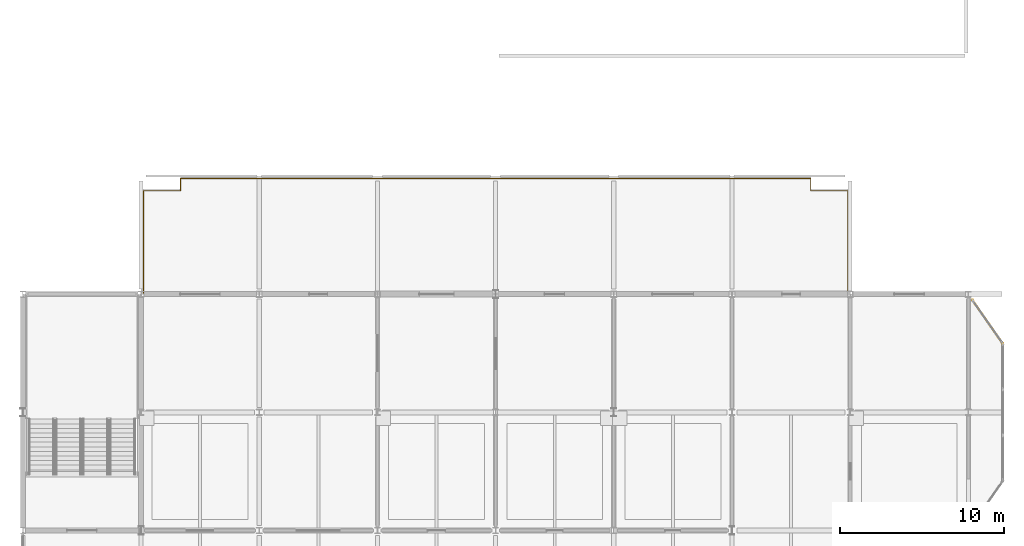
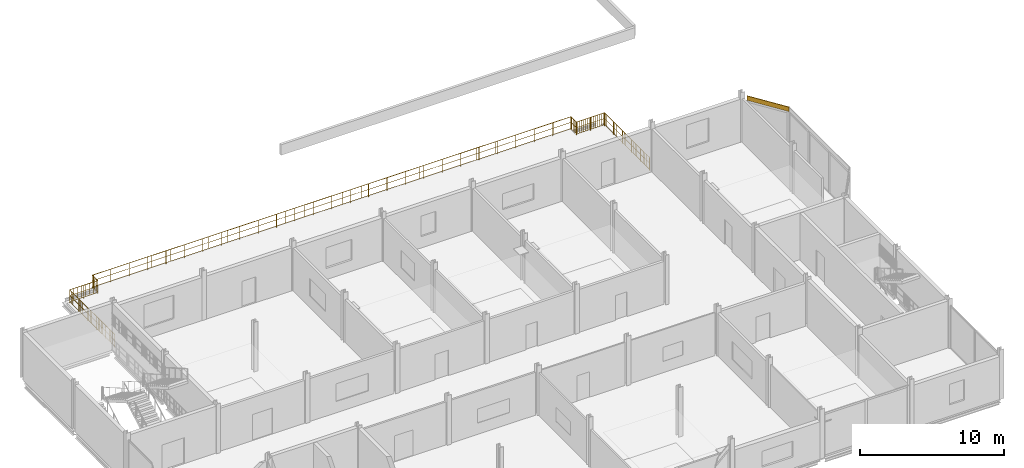
# One storey, part 26 of 26: 1 covering, 1 railing.
"""IFC4 building model written with IfcOpenShell, lengths in metres."""

from ifc_helpers import new_model, si_unit, direction, frame, frame_2d, origin, origin_2d, place, context, subcontext, project, spatial, rectangle, circle, extrude, material, layer, layer_set, type_object, element, save


model = new_model("IFC4")

# Units and contexts
model_context = context("Model", 3, precision=1e-05, world=origin(), true_north=direction((0.0, 1.0)))
body_context = subcontext(model_context, "Body", "Model", "MODEL_VIEW")
ifc_project = project(units=[si_unit("LENGTHUNIT", "METRE"), si_unit("AREAUNIT", "SQUARE_METRE"), si_unit("VOLUMEUNIT", "CUBIC_METRE"), si_unit("PLANEANGLEUNIT", "RADIAN"), si_unit("MASSUNIT", "GRAM", prefix="KILO")], contexts=[model_context])

# Site, building, storey
site_placement = place(None, origin())
site = spatial("IfcSite", under=ifc_project, at=site_placement, CompositionType="ELEMENT")
building_placement = place(site_placement, origin())
building = spatial("IfcBuilding", under=site, at=building_placement, Name="Vesperath Aquatics Centre", CompositionType="ELEMENT")
storey_placement = place(building_placement, frame((0.0, 0.0, 19.199951171875)))
storey = spatial("IfcBuildingStorey", under=building, at=storey_placement, Name="L04", CompositionType="ELEMENT", Elevation=19.199951171875)

# Covering
ifc_material_1 = material(Name="Teal and ochre glazed ceramic majolica frieze", Category="ceramic")
ifc_layer = layer(ifc_material_1, 0.0400390625)
ifc_layer_set = layer_set([ifc_layer], Name="Teal and ochre glazed ceramic majolica frieze")
covering_type = type_object("IfcCoveringType", Name="CV-CLD01", PredefinedType="CLADDING", material=ifc_layer_set)
covering_placement = place(storey_placement, frame((174.89990234375, 33.0, 3.5400390625), z_axis=(0.0, 0.0, 1.0), x_axis=(-0.573457259524, 0.819235479883, 0.0)))
element("IfcCovering", 1, at=covering_placement, inside=storey, type_object=covering_type, Name="East Bow Oriel Majolica Frieze CLD1 L04-N", PredefinedType="CLADDING", context=body_context, shape_type="SweptSolid", body=[
    extrude(rectangle(XDim=3.222412109375, YDim=0.050048828125, at=frame_2d((1.611328125, 0.0))), origin(), (0.0, 0.0, 1.0), 0.380126953125),
])

# Railing
ifc_material_2 = material(Name="Patinated bronze Art Nouveau balustrade", Category="aluminium")
railing_type = type_object("IfcRailingType", Name="RL-BAL01", PredefinedType="BALUSTRADE", material=ifc_material_2)
railing_placement = place(storey_placement, frame((122.550048828125, 36.050048828125, 0.0)))
element("IfcRailing", 2, at=railing_placement, inside=storey, type_object=railing_type, Name="Wellness Sun Terrace Balustrade GR01 L04", PredefinedType="BALUSTRADE", context=body_context, shape_type="SweptSolid", body=[
    extrude(circle(Radius=0.02392578125, at=origin_2d()), frame((0.0, 0.0, 1.09619140625), z_axis=(0.0, 1.0, 0.0), x_axis=(-1.0, 0.0, 0.0)), (0.0, 0.0, 1.0), 6.25),
    extrude(circle(Radius=0.01611328125, at=origin_2d()), frame((0.0, 0.0, 0.10009765625), z_axis=(0.0, 1.0, 0.0), x_axis=(-1.0, 0.0, 0.0)), (0.0, 0.0, 1.0), 6.25),
    extrude(circle(Radius=0.01611328125, at=origin_2d()), frame((0.0, 0.0, 0.615966796875), z_axis=(0.0, 1.0, 0.0), x_axis=(-1.0, 0.0, 0.0)), (0.0, 0.0, 1.0), 6.25),
    extrude(circle(Radius=0.009033203125, at=origin_2d()), frame((0.0, 0.109619140625, 0.10009765625)), (0.0, 0.0, 1.0), 0.971923828125),
    extrude(circle(Radius=0.009033203125, at=origin_2d()), frame((0.0, 0.328857421875, 0.10009765625)), (0.0, 0.0, 1.0), 0.971923828125),
    extrude(circle(Radius=0.009033203125, at=origin_2d()), frame((0.0, 0.54833984375, 0.10009765625)), (0.0, 0.0, 1.0), 0.971923828125),
    extrude(circle(Radius=0.009033203125, at=origin_2d()), frame((0.0, 0.767578125, 0.10009765625)), (0.0, 0.0, 1.0), 0.971923828125),
    extrude(circle(Radius=0.009033203125, at=origin_2d()), frame((0.0, 0.98681640625, 0.10009765625)), (0.0, 0.0, 1.0), 0.971923828125),
    extrude(circle(Radius=0.009033203125, at=origin_2d()), frame((0.0, 1.2060546875, 0.10009765625)), (0.0, 0.0, 1.0), 0.971923828125),
    extrude(circle(Radius=0.009033203125, at=origin_2d()), frame((0.0, 1.425537109375, 0.10009765625)), (0.0, 0.0, 1.0), 0.971923828125),
    extrude(circle(Radius=0.009033203125, at=origin_2d()), frame((0.0, 1.644775390625, 0.10009765625)), (0.0, 0.0, 1.0), 0.971923828125),
    extrude(circle(Radius=0.009033203125, at=origin_2d()), frame((0.0, 1.864013671875, 0.10009765625)), (0.0, 0.0, 1.0), 0.971923828125),
    extrude(circle(Radius=0.009033203125, at=origin_2d()), frame((0.0, 2.083251953125, 0.10009765625)), (0.0, 0.0, 1.0), 0.971923828125),
    extrude(circle(Radius=0.009033203125, at=origin_2d()), frame((0.0, 2.302734375, 0.10009765625)), (0.0, 0.0, 1.0), 0.971923828125),
    extrude(circle(Radius=0.009033203125, at=origin_2d()), frame((0.0, 2.52197265625, 0.10009765625)), (0.0, 0.0, 1.0), 0.971923828125),
    extrude(circle(Radius=0.009033203125, at=origin_2d()), frame((0.0, 2.7412109375, 0.10009765625)), (0.0, 0.0, 1.0), 0.971923828125),
    extrude(circle(Radius=0.009033203125, at=origin_2d()), frame((0.0, 2.96044921875, 0.10009765625)), (0.0, 0.0, 1.0), 0.971923828125),
    extrude(circle(Radius=0.009033203125, at=origin_2d()), frame((0.0, 3.179931640625, 0.10009765625)), (0.0, 0.0, 1.0), 0.971923828125),
    extrude(circle(Radius=0.009033203125, at=origin_2d()), frame((0.0, 3.399169921875, 0.10009765625)), (0.0, 0.0, 1.0), 0.971923828125),
    extrude(circle(Radius=0.009033203125, at=origin_2d()), frame((0.0, 3.618408203125, 0.10009765625)), (0.0, 0.0, 1.0), 0.971923828125),
    extrude(circle(Radius=0.009033203125, at=origin_2d()), frame((0.0, 3.837646484375, 0.10009765625)), (0.0, 0.0, 1.0), 0.971923828125),
    extrude(circle(Radius=0.009033203125, at=origin_2d()), frame((0.0, 4.05712890625, 0.10009765625)), (0.0, 0.0, 1.0), 0.971923828125),
    extrude(circle(Radius=0.009033203125, at=origin_2d()), frame((0.0, 4.2763671875, 0.10009765625)), (0.0, 0.0, 1.0), 0.971923828125),
    extrude(circle(Radius=0.009033203125, at=origin_2d()), frame((0.0, 4.49560546875, 0.10009765625)), (0.0, 0.0, 1.0), 0.971923828125),
    extrude(circle(Radius=0.009033203125, at=origin_2d()), frame((0.0, 4.71484375, 0.10009765625)), (0.0, 0.0, 1.0), 0.971923828125),
    extrude(circle(Radius=0.009033203125, at=origin_2d()), frame((0.0, 4.934326171875, 0.10009765625)), (0.0, 0.0, 1.0), 0.971923828125),
    extrude(circle(Radius=0.009033203125, at=origin_2d()), frame((0.0, 5.153564453125, 0.10009765625)), (0.0, 0.0, 1.0), 0.971923828125),
    extrude(circle(Radius=0.009033203125, at=origin_2d()), frame((0.0, 5.372802734375, 0.10009765625)), (0.0, 0.0, 1.0), 0.971923828125),
    extrude(circle(Radius=0.009033203125, at=origin_2d()), frame((0.0, 5.592041015625, 0.10009765625)), (0.0, 0.0, 1.0), 0.971923828125),
    extrude(circle(Radius=0.009033203125, at=origin_2d()), frame((0.0, 5.8115234375, 0.10009765625)), (0.0, 0.0, 1.0), 0.971923828125),
    extrude(circle(Radius=0.009033203125, at=origin_2d()), frame((0.0, 6.03076171875, 0.10009765625)), (0.0, 0.0, 1.0), 0.971923828125),
    extrude(circle(Radius=0.02392578125, at=origin_2d()), frame((0.0, 6.25, 1.09619140625), z_axis=(1.0, 0.0, 0.0), x_axis=(0.0, 1.0, 0.0)), (0.0, 0.0, 1.0), 2.25),
    extrude(circle(Radius=0.01611328125, at=origin_2d()), frame((0.0, 6.25, 0.10009765625), z_axis=(1.0, 0.0, 0.0), x_axis=(0.0, 1.0, 0.0)), (0.0, 0.0, 1.0), 2.25),
    extrude(circle(Radius=0.01611328125, at=origin_2d()), frame((0.0, 6.25, 0.615966796875), z_axis=(1.0, 0.0, 0.0), x_axis=(0.0, 1.0, 0.0)), (0.0, 0.0, 1.0), 2.25),
    extrude(circle(Radius=0.009033203125, at=origin_2d()), frame((0.107177734375, 6.25, 0.10009765625)), (0.0, 0.0, 1.0), 0.971923828125),
    extrude(circle(Radius=0.009033203125, at=origin_2d()), frame((0.21435546875, 6.25, 0.10009765625)), (0.0, 0.0, 1.0), 0.971923828125),
    extrude(circle(Radius=0.009033203125, at=origin_2d()), frame((0.321533203125, 6.25, 0.10009765625)), (0.0, 0.0, 1.0), 0.971923828125),
    extrude(circle(Radius=0.009033203125, at=origin_2d()), frame((0.428466796875, 6.25, 0.10009765625)), (0.0, 0.0, 1.0), 0.971923828125),
    extrude(circle(Radius=0.009033203125, at=origin_2d()), frame((0.53564453125, 6.25, 0.10009765625)), (0.0, 0.0, 1.0), 0.971923828125),
    extrude(circle(Radius=0.009033203125, at=origin_2d()), frame((0.642822265625, 6.25, 0.10009765625)), (0.0, 0.0, 1.0), 0.971923828125),
    extrude(circle(Radius=0.009033203125, at=origin_2d()), frame((0.75, 6.25, 0.10009765625)), (0.0, 0.0, 1.0), 0.971923828125),
    extrude(circle(Radius=0.009033203125, at=origin_2d()), frame((0.857177734375, 6.25, 0.10009765625)), (0.0, 0.0, 1.0), 0.971923828125),
    extrude(circle(Radius=0.009033203125, at=origin_2d()), frame((0.96435546875, 6.25, 0.10009765625)), (0.0, 0.0, 1.0), 0.971923828125),
    extrude(circle(Radius=0.009033203125, at=origin_2d()), frame((1.071533203125, 6.25, 0.10009765625)), (0.0, 0.0, 1.0), 0.971923828125),
    extrude(circle(Radius=0.009033203125, at=origin_2d()), frame((1.178466796875, 6.25, 0.10009765625)), (0.0, 0.0, 1.0), 0.971923828125),
    extrude(circle(Radius=0.009033203125, at=origin_2d()), frame((1.28564453125, 6.25, 0.10009765625)), (0.0, 0.0, 1.0), 0.971923828125),
    extrude(circle(Radius=0.009033203125, at=origin_2d()), frame((1.392822265625, 6.25, 0.10009765625)), (0.0, 0.0, 1.0), 0.971923828125),
    extrude(circle(Radius=0.009033203125, at=origin_2d()), frame((1.5, 6.25, 0.10009765625)), (0.0, 0.0, 1.0), 0.971923828125),
    extrude(circle(Radius=0.009033203125, at=origin_2d()), frame((1.607177734375, 6.25, 0.10009765625)), (0.0, 0.0, 1.0), 0.971923828125),
    extrude(circle(Radius=0.009033203125, at=origin_2d()), frame((1.71435546875, 6.25, 0.10009765625)), (0.0, 0.0, 1.0), 0.971923828125),
    extrude(circle(Radius=0.009033203125, at=origin_2d()), frame((1.821533203125, 6.25, 0.10009765625)), (0.0, 0.0, 1.0), 0.971923828125),
    extrude(circle(Radius=0.009033203125, at=origin_2d()), frame((1.928466796875, 6.25, 0.10009765625)), (0.0, 0.0, 1.0), 0.971923828125),
    extrude(circle(Radius=0.009033203125, at=origin_2d()), frame((2.03564453125, 6.25, 0.10009765625)), (0.0, 0.0, 1.0), 0.971923828125),
    extrude(circle(Radius=0.009033203125, at=origin_2d()), frame((2.142822265625, 6.25, 0.10009765625)), (0.0, 0.0, 1.0), 0.971923828125),
    extrude(circle(Radius=0.02392578125, at=origin_2d()), frame((2.25, 6.25, 1.09619140625), z_axis=(0.0, 1.0, 0.0), x_axis=(-1.0, 0.0, 0.0)), (0.0, 0.0, 1.0), 0.75),
    extrude(circle(Radius=0.01611328125, at=origin_2d()), frame((2.25, 6.25, 0.10009765625), z_axis=(0.0, 1.0, 0.0), x_axis=(-1.0, 0.0, 0.0)), (0.0, 0.0, 1.0), 0.75),
    extrude(circle(Radius=0.01611328125, at=origin_2d()), frame((2.25, 6.25, 0.615966796875), z_axis=(0.0, 1.0, 0.0), x_axis=(-1.0, 0.0, 0.0)), (0.0, 0.0, 1.0), 0.75),
    extrude(circle(Radius=0.009033203125, at=origin_2d()), frame((2.25, 6.357177734375, 0.10009765625)), (0.0, 0.0, 1.0), 0.971923828125),
    extrude(circle(Radius=0.009033203125, at=origin_2d()), frame((2.25, 6.46435546875, 0.10009765625)), (0.0, 0.0, 1.0), 0.971923828125),
    extrude(circle(Radius=0.009033203125, at=origin_2d()), frame((2.25, 6.571533203125, 0.10009765625)), (0.0, 0.0, 1.0), 0.971923828125),
    extrude(circle(Radius=0.009033203125, at=origin_2d()), frame((2.25, 6.678466796875, 0.10009765625)), (0.0, 0.0, 1.0), 0.971923828125),
    extrude(circle(Radius=0.009033203125, at=origin_2d()), frame((2.25, 6.78564453125, 0.10009765625)), (0.0, 0.0, 1.0), 0.971923828125),
    extrude(circle(Radius=0.009033203125, at=origin_2d()), frame((2.25, 6.892822265625, 0.10009765625)), (0.0, 0.0, 1.0), 0.971923828125),
    extrude(circle(Radius=0.02392578125, at=origin_2d()), frame((2.25, 7.0, 1.09619140625), z_axis=(1.0, 0.0, 0.0), x_axis=(0.0, 1.0, 0.0)), (0.0, 0.0, 1.0), 38.39990234375),
    extrude(circle(Radius=0.01611328125, at=origin_2d()), frame((2.25, 7.0, 0.10009765625), z_axis=(1.0, 0.0, 0.0), x_axis=(0.0, 1.0, 0.0)), (0.0, 0.0, 1.0), 38.39990234375),
    extrude(circle(Radius=0.01611328125, at=origin_2d()), frame((2.25, 7.0, 0.615966796875), z_axis=(1.0, 0.0, 0.0), x_axis=(0.0, 1.0, 0.0)), (0.0, 0.0, 1.0), 38.39990234375),
    extrude(circle(Radius=0.009033203125, at=origin_2d()), frame((2.359619140625, 7.0, 0.10009765625)), (0.0, 0.0, 1.0), 0.971923828125),
    extrude(circle(Radius=0.009033203125, at=origin_2d()), frame((3.895751953125, 7.0, 0.10009765625)), (0.0, 0.0, 1.0), 0.971923828125),
    extrude(circle(Radius=0.009033203125, at=origin_2d()), frame((5.431640625, 7.0, 0.10009765625)), (0.0, 0.0, 1.0), 0.971923828125),
    extrude(circle(Radius=0.009033203125, at=origin_2d()), frame((6.9677734375, 7.0, 0.10009765625)), (0.0, 0.0, 1.0), 0.971923828125),
    extrude(circle(Radius=0.009033203125, at=origin_2d()), frame((8.503662109375, 7.0, 0.10009765625)), (0.0, 0.0, 1.0), 0.971923828125),
    extrude(circle(Radius=0.009033203125, at=origin_2d()), frame((10.039794921875, 7.0, 0.10009765625)), (0.0, 0.0, 1.0), 0.971923828125),
    extrude(circle(Radius=0.009033203125, at=origin_2d()), frame((11.57568359375, 7.0, 0.10009765625)), (0.0, 0.0, 1.0), 0.971923828125),
    extrude(circle(Radius=0.009033203125, at=origin_2d()), frame((13.111572265625, 7.0, 0.10009765625)), (0.0, 0.0, 1.0), 0.971923828125),
    extrude(circle(Radius=0.009033203125, at=origin_2d()), frame((14.647705078125, 7.0, 0.10009765625)), (0.0, 0.0, 1.0), 0.971923828125),
    extrude(circle(Radius=0.009033203125, at=origin_2d()), frame((16.18359375, 7.0, 0.10009765625)), (0.0, 0.0, 1.0), 0.971923828125),
    extrude(circle(Radius=0.009033203125, at=origin_2d()), frame((17.7197265625, 7.0, 0.10009765625)), (0.0, 0.0, 1.0), 0.971923828125),
    extrude(circle(Radius=0.009033203125, at=origin_2d()), frame((19.255615234375, 7.0, 0.10009765625)), (0.0, 0.0, 1.0), 0.971923828125),
    extrude(circle(Radius=0.009033203125, at=origin_2d()), frame((20.791748046875, 7.0, 0.10009765625)), (0.0, 0.0, 1.0), 0.971923828125),
    extrude(circle(Radius=0.009033203125, at=origin_2d()), frame((22.32763671875, 7.0, 0.10009765625)), (0.0, 0.0, 1.0), 0.971923828125),
    extrude(circle(Radius=0.009033203125, at=origin_2d()), frame((23.86376953125, 7.0, 0.10009765625)), (0.0, 0.0, 1.0), 0.971923828125),
    extrude(circle(Radius=0.009033203125, at=origin_2d()), frame((25.399658203125, 7.0, 0.10009765625)), (0.0, 0.0, 1.0), 0.971923828125),
    extrude(circle(Radius=0.009033203125, at=origin_2d()), frame((26.935546875, 7.0, 0.10009765625)), (0.0, 0.0, 1.0), 0.971923828125),
    extrude(circle(Radius=0.009033203125, at=origin_2d()), frame((28.4716796875, 7.0, 0.10009765625)), (0.0, 0.0, 1.0), 0.971923828125),
    extrude(circle(Radius=0.009033203125, at=origin_2d()), frame((30.007568359375, 7.0, 0.10009765625)), (0.0, 0.0, 1.0), 0.971923828125),
    extrude(circle(Radius=0.009033203125, at=origin_2d()), frame((31.543701171875, 7.0, 0.10009765625)), (0.0, 0.0, 1.0), 0.971923828125),
    extrude(circle(Radius=0.009033203125, at=origin_2d()), frame((33.07958984375, 7.0, 0.10009765625)), (0.0, 0.0, 1.0), 0.971923828125),
    extrude(circle(Radius=0.009033203125, at=origin_2d()), frame((34.61572265625, 7.0, 0.10009765625)), (0.0, 0.0, 1.0), 0.971923828125),
    extrude(circle(Radius=0.009033203125, at=origin_2d()), frame((36.151611328125, 7.0, 0.10009765625)), (0.0, 0.0, 1.0), 0.971923828125),
    extrude(circle(Radius=0.009033203125, at=origin_2d()), frame((37.687744140625, 7.0, 0.10009765625)), (0.0, 0.0, 1.0), 0.971923828125),
    extrude(circle(Radius=0.009033203125, at=origin_2d()), frame((39.2236328125, 7.0, 0.10009765625)), (0.0, 0.0, 1.0), 0.971923828125),
    extrude(circle(Radius=0.02392578125, at=origin_2d()), frame((40.64990234375, 7.0, 1.09619140625), z_axis=(0.0, -1.0, 0.0), x_axis=(1.0, 0.0, 0.0)), (0.0, 0.0, 1.0), 0.75),
    extrude(circle(Radius=0.01611328125, at=origin_2d()), frame((40.64990234375, 7.0, 0.10009765625), z_axis=(0.0, -1.0, 0.0), x_axis=(1.0, 0.0, 0.0)), (0.0, 0.0, 1.0), 0.75),
    extrude(circle(Radius=0.01611328125, at=origin_2d()), frame((40.64990234375, 7.0, 0.615966796875), z_axis=(0.0, -1.0, 0.0), x_axis=(1.0, 0.0, 0.0)), (0.0, 0.0, 1.0), 0.75),
    extrude(circle(Radius=0.009033203125, at=origin_2d()), frame((40.64990234375, 6.892822265625, 0.10009765625)), (0.0, 0.0, 1.0), 0.971923828125),
    extrude(circle(Radius=0.009033203125, at=origin_2d()), frame((40.64990234375, 6.78564453125, 0.10009765625)), (0.0, 0.0, 1.0), 0.971923828125),
    extrude(circle(Radius=0.009033203125, at=origin_2d()), frame((40.64990234375, 6.678466796875, 0.10009765625)), (0.0, 0.0, 1.0), 0.971923828125),
    extrude(circle(Radius=0.009033203125, at=origin_2d()), frame((40.64990234375, 6.571533203125, 0.10009765625)), (0.0, 0.0, 1.0), 0.971923828125),
    extrude(circle(Radius=0.009033203125, at=origin_2d()), frame((40.64990234375, 6.46435546875, 0.10009765625)), (0.0, 0.0, 1.0), 0.971923828125),
    extrude(circle(Radius=0.009033203125, at=origin_2d()), frame((40.64990234375, 6.357177734375, 0.10009765625)), (0.0, 0.0, 1.0), 0.971923828125),
    extrude(circle(Radius=0.02392578125, at=origin_2d()), frame((40.64990234375, 6.25, 1.09619140625), z_axis=(1.0, 0.0, 0.0), x_axis=(0.0, 1.0, 0.0)), (0.0, 0.0, 1.0), 2.25),
    extrude(circle(Radius=0.01611328125, at=origin_2d()), frame((40.64990234375, 6.25, 0.10009765625), z_axis=(1.0, 0.0, 0.0), x_axis=(0.0, 1.0, 0.0)), (0.0, 0.0, 1.0), 2.25),
    extrude(circle(Radius=0.01611328125, at=origin_2d()), frame((40.64990234375, 6.25, 0.615966796875), z_axis=(1.0, 0.0, 0.0), x_axis=(0.0, 1.0, 0.0)), (0.0, 0.0, 1.0), 2.25),
    extrude(circle(Radius=0.009033203125, at=origin_2d()), frame((40.757080078125, 6.25, 0.10009765625)), (0.0, 0.0, 1.0), 0.971923828125),
    extrude(circle(Radius=0.009033203125, at=origin_2d()), frame((40.8642578125, 6.25, 0.10009765625)), (0.0, 0.0, 1.0), 0.971923828125),
    extrude(circle(Radius=0.009033203125, at=origin_2d()), frame((40.971435546875, 6.25, 0.10009765625)), (0.0, 0.0, 1.0), 0.971923828125),
    extrude(circle(Radius=0.009033203125, at=origin_2d()), frame((41.078369140625, 6.25, 0.10009765625)), (0.0, 0.0, 1.0), 0.971923828125),
    extrude(circle(Radius=0.009033203125, at=origin_2d()), frame((41.185546875, 6.25, 0.10009765625)), (0.0, 0.0, 1.0), 0.971923828125),
    extrude(circle(Radius=0.009033203125, at=origin_2d()), frame((41.292724609375, 6.25, 0.10009765625)), (0.0, 0.0, 1.0), 0.971923828125),
    extrude(circle(Radius=0.009033203125, at=origin_2d()), frame((41.39990234375, 6.25, 0.10009765625)), (0.0, 0.0, 1.0), 0.971923828125),
    extrude(circle(Radius=0.009033203125, at=origin_2d()), frame((41.507080078125, 6.25, 0.10009765625)), (0.0, 0.0, 1.0), 0.971923828125),
    extrude(circle(Radius=0.009033203125, at=origin_2d()), frame((41.6142578125, 6.25, 0.10009765625)), (0.0, 0.0, 1.0), 0.971923828125),
    extrude(circle(Radius=0.009033203125, at=origin_2d()), frame((41.721435546875, 6.25, 0.10009765625)), (0.0, 0.0, 1.0), 0.971923828125),
    extrude(circle(Radius=0.009033203125, at=origin_2d()), frame((41.828369140625, 6.25, 0.10009765625)), (0.0, 0.0, 1.0), 0.971923828125),
    extrude(circle(Radius=0.009033203125, at=origin_2d()), frame((41.935546875, 6.25, 0.10009765625)), (0.0, 0.0, 1.0), 0.971923828125),
    extrude(circle(Radius=0.009033203125, at=origin_2d()), frame((42.042724609375, 6.25, 0.10009765625)), (0.0, 0.0, 1.0), 0.971923828125),
    extrude(circle(Radius=0.009033203125, at=origin_2d()), frame((42.14990234375, 6.25, 0.10009765625)), (0.0, 0.0, 1.0), 0.971923828125),
    extrude(circle(Radius=0.009033203125, at=origin_2d()), frame((42.257080078125, 6.25, 0.10009765625)), (0.0, 0.0, 1.0), 0.971923828125),
    extrude(circle(Radius=0.009033203125, at=origin_2d()), frame((42.3642578125, 6.25, 0.10009765625)), (0.0, 0.0, 1.0), 0.971923828125),
    extrude(circle(Radius=0.009033203125, at=origin_2d()), frame((42.471435546875, 6.25, 0.10009765625)), (0.0, 0.0, 1.0), 0.971923828125),
    extrude(circle(Radius=0.009033203125, at=origin_2d()), frame((42.578369140625, 6.25, 0.10009765625)), (0.0, 0.0, 1.0), 0.971923828125),
    extrude(circle(Radius=0.009033203125, at=origin_2d()), frame((42.685546875, 6.25, 0.10009765625)), (0.0, 0.0, 1.0), 0.971923828125),
    extrude(circle(Radius=0.009033203125, at=origin_2d()), frame((42.792724609375, 6.25, 0.10009765625)), (0.0, 0.0, 1.0), 0.971923828125),
    extrude(circle(Radius=0.02392578125, at=origin_2d()), frame((42.89990234375, 6.25, 1.09619140625), z_axis=(0.0, -1.0, 0.0), x_axis=(1.0, 0.0, 0.0)), (0.0, 0.0, 1.0), 6.25),
    extrude(circle(Radius=0.01611328125, at=origin_2d()), frame((42.89990234375, 6.25, 0.10009765625), z_axis=(0.0, -1.0, 0.0), x_axis=(1.0, 0.0, 0.0)), (0.0, 0.0, 1.0), 6.25),
    extrude(circle(Radius=0.01611328125, at=origin_2d()), frame((42.89990234375, 6.25, 0.615966796875), z_axis=(0.0, -1.0, 0.0), x_axis=(1.0, 0.0, 0.0)), (0.0, 0.0, 1.0), 6.25),
    extrude(circle(Radius=0.009033203125, at=origin_2d()), frame((42.89990234375, 6.140380859375, 0.10009765625)), (0.0, 0.0, 1.0), 0.971923828125),
    extrude(circle(Radius=0.009033203125, at=origin_2d()), frame((42.89990234375, 5.921142578125, 0.10009765625)), (0.0, 0.0, 1.0), 0.971923828125),
    extrude(circle(Radius=0.009033203125, at=origin_2d()), frame((42.89990234375, 5.70166015625, 0.10009765625)), (0.0, 0.0, 1.0), 0.971923828125),
    extrude(circle(Radius=0.009033203125, at=origin_2d()), frame((42.89990234375, 5.482421875, 0.10009765625)), (0.0, 0.0, 1.0), 0.971923828125),
    extrude(circle(Radius=0.009033203125, at=origin_2d()), frame((42.89990234375, 5.26318359375, 0.10009765625)), (0.0, 0.0, 1.0), 0.971923828125),
    extrude(circle(Radius=0.009033203125, at=origin_2d()), frame((42.89990234375, 5.0439453125, 0.10009765625)), (0.0, 0.0, 1.0), 0.971923828125),
    extrude(circle(Radius=0.009033203125, at=origin_2d()), frame((42.89990234375, 4.824462890625, 0.10009765625)), (0.0, 0.0, 1.0), 0.971923828125),
    extrude(circle(Radius=0.009033203125, at=origin_2d()), frame((42.89990234375, 4.605224609375, 0.10009765625)), (0.0, 0.0, 1.0), 0.971923828125),
    extrude(circle(Radius=0.009033203125, at=origin_2d()), frame((42.89990234375, 4.385986328125, 0.10009765625)), (0.0, 0.0, 1.0), 0.971923828125),
    extrude(circle(Radius=0.009033203125, at=origin_2d()), frame((42.89990234375, 4.166748046875, 0.10009765625)), (0.0, 0.0, 1.0), 0.971923828125),
    extrude(circle(Radius=0.009033203125, at=origin_2d()), frame((42.89990234375, 3.947265625, 0.10009765625)), (0.0, 0.0, 1.0), 0.971923828125),
    extrude(circle(Radius=0.009033203125, at=origin_2d()), frame((42.89990234375, 3.72802734375, 0.10009765625)), (0.0, 0.0, 1.0), 0.971923828125),
    extrude(circle(Radius=0.009033203125, at=origin_2d()), frame((42.89990234375, 3.5087890625, 0.10009765625)), (0.0, 0.0, 1.0), 0.971923828125),
    extrude(circle(Radius=0.009033203125, at=origin_2d()), frame((42.89990234375, 3.28955078125, 0.10009765625)), (0.0, 0.0, 1.0), 0.971923828125),
    extrude(circle(Radius=0.009033203125, at=origin_2d()), frame((42.89990234375, 3.070068359375, 0.10009765625)), (0.0, 0.0, 1.0), 0.971923828125),
    extrude(circle(Radius=0.009033203125, at=origin_2d()), frame((42.89990234375, 2.850830078125, 0.10009765625)), (0.0, 0.0, 1.0), 0.971923828125),
    extrude(circle(Radius=0.009033203125, at=origin_2d()), frame((42.89990234375, 2.631591796875, 0.10009765625)), (0.0, 0.0, 1.0), 0.971923828125),
    extrude(circle(Radius=0.009033203125, at=origin_2d()), frame((42.89990234375, 2.412353515625, 0.10009765625)), (0.0, 0.0, 1.0), 0.971923828125),
    extrude(circle(Radius=0.009033203125, at=origin_2d()), frame((42.89990234375, 2.19287109375, 0.10009765625)), (0.0, 0.0, 1.0), 0.971923828125),
    extrude(circle(Radius=0.009033203125, at=origin_2d()), frame((42.89990234375, 1.9736328125, 0.10009765625)), (0.0, 0.0, 1.0), 0.971923828125),
    extrude(circle(Radius=0.009033203125, at=origin_2d()), frame((42.89990234375, 1.75439453125, 0.10009765625)), (0.0, 0.0, 1.0), 0.971923828125),
    extrude(circle(Radius=0.009033203125, at=origin_2d()), frame((42.89990234375, 1.53515625, 0.10009765625)), (0.0, 0.0, 1.0), 0.971923828125),
    extrude(circle(Radius=0.009033203125, at=origin_2d()), frame((42.89990234375, 1.315673828125, 0.10009765625)), (0.0, 0.0, 1.0), 0.971923828125),
    extrude(circle(Radius=0.009033203125, at=origin_2d()), frame((42.89990234375, 1.096435546875, 0.10009765625)), (0.0, 0.0, 1.0), 0.971923828125),
    extrude(circle(Radius=0.009033203125, at=origin_2d()), frame((42.89990234375, 0.877197265625, 0.10009765625)), (0.0, 0.0, 1.0), 0.971923828125),
    extrude(circle(Radius=0.009033203125, at=origin_2d()), frame((42.89990234375, 0.657958984375, 0.10009765625)), (0.0, 0.0, 1.0), 0.971923828125),
    extrude(circle(Radius=0.009033203125, at=origin_2d()), frame((42.89990234375, 0.4384765625, 0.10009765625)), (0.0, 0.0, 1.0), 0.971923828125),
    extrude(circle(Radius=0.009033203125, at=origin_2d()), frame((42.89990234375, 0.21923828125, 0.10009765625)), (0.0, 0.0, 1.0), 0.971923828125),
    extrude(circle(Radius=0.02197265625, at=origin_2d()), origin(), (0.0, 0.0, 1.0), 1.09619140625),
    extrude(circle(Radius=0.02197265625, at=origin_2d()), frame((0.0, 1.25, 0.0)), (0.0, 0.0, 1.0), 1.09619140625),
    extrude(circle(Radius=0.02197265625, at=origin_2d()), frame((0.0, 2.5, 0.0)), (0.0, 0.0, 1.0), 1.09619140625),
    extrude(circle(Radius=0.02197265625, at=origin_2d()), frame((0.0, 3.75, 0.0)), (0.0, 0.0, 1.0), 1.09619140625),
    extrude(circle(Radius=0.02197265625, at=origin_2d()), frame((0.0, 5.0, 0.0)), (0.0, 0.0, 1.0), 1.09619140625),
    extrude(circle(Radius=0.02197265625, at=origin_2d()), frame((0.0, 6.25, 0.0)), (0.0, 0.0, 1.0), 1.09619140625),
    extrude(circle(Radius=0.02197265625, at=origin_2d()), frame((1.125, 6.25, 0.0)), (0.0, 0.0, 1.0), 1.09619140625),
    extrude(circle(Radius=0.02197265625, at=origin_2d()), frame((2.25, 6.25, 0.0)), (0.0, 0.0, 1.0), 1.09619140625),
    extrude(circle(Radius=0.02197265625, at=origin_2d()), frame((2.25, 7.0, 0.0)), (0.0, 0.0, 1.0), 1.09619140625),
    extrude(circle(Radius=0.02197265625, at=origin_2d()), frame((3.726806640625, 7.0, 0.0)), (0.0, 0.0, 1.0), 1.09619140625),
    extrude(circle(Radius=0.02197265625, at=origin_2d()), frame((5.203857421875, 7.0, 0.0)), (0.0, 0.0, 1.0), 1.09619140625),
    extrude(circle(Radius=0.02197265625, at=origin_2d()), frame((6.6806640625, 7.0, 0.0)), (0.0, 0.0, 1.0), 1.09619140625),
    extrude(circle(Radius=0.02197265625, at=origin_2d()), frame((8.15771484375, 7.0, 0.0)), (0.0, 0.0, 1.0), 1.09619140625),
    extrude(circle(Radius=0.02197265625, at=origin_2d()), frame((9.634521484375, 7.0, 0.0)), (0.0, 0.0, 1.0), 1.09619140625),
    extrude(circle(Radius=0.02197265625, at=origin_2d()), frame((11.111572265625, 7.0, 0.0)), (0.0, 0.0, 1.0), 1.09619140625),
    extrude(circle(Radius=0.02197265625, at=origin_2d()), frame((12.58837890625, 7.0, 0.0)), (0.0, 0.0, 1.0), 1.09619140625),
    extrude(circle(Radius=0.02197265625, at=origin_2d()), frame((14.0654296875, 7.0, 0.0)), (0.0, 0.0, 1.0), 1.09619140625),
    extrude(circle(Radius=0.02197265625, at=origin_2d()), frame((15.542236328125, 7.0, 0.0)), (0.0, 0.0, 1.0), 1.09619140625),
    extrude(circle(Radius=0.02197265625, at=origin_2d()), frame((17.019287109375, 7.0, 0.0)), (0.0, 0.0, 1.0), 1.09619140625),
    extrude(circle(Radius=0.02197265625, at=origin_2d()), frame((18.49609375, 7.0, 0.0)), (0.0, 0.0, 1.0), 1.09619140625),
    extrude(circle(Radius=0.02197265625, at=origin_2d()), frame((19.97314453125, 7.0, 0.0)), (0.0, 0.0, 1.0), 1.09619140625),
    extrude(circle(Radius=0.02197265625, at=origin_2d()), frame((21.449951171875, 7.0, 0.0)), (0.0, 0.0, 1.0), 1.09619140625),
    extrude(circle(Radius=0.02197265625, at=origin_2d()), frame((22.9267578125, 7.0, 0.0)), (0.0, 0.0, 1.0), 1.09619140625),
    extrude(circle(Radius=0.02197265625, at=origin_2d()), frame((24.40380859375, 7.0, 0.0)), (0.0, 0.0, 1.0), 1.09619140625),
    extrude(circle(Radius=0.02197265625, at=origin_2d()), frame((25.880615234375, 7.0, 0.0)), (0.0, 0.0, 1.0), 1.09619140625),
    extrude(circle(Radius=0.02197265625, at=origin_2d()), frame((27.357666015625, 7.0, 0.0)), (0.0, 0.0, 1.0), 1.09619140625),
    extrude(circle(Radius=0.02197265625, at=origin_2d()), frame((28.83447265625, 7.0, 0.0)), (0.0, 0.0, 1.0), 1.09619140625),
    extrude(circle(Radius=0.02197265625, at=origin_2d()), frame((30.3115234375, 7.0, 0.0)), (0.0, 0.0, 1.0), 1.09619140625),
    extrude(circle(Radius=0.02197265625, at=origin_2d()), frame((31.788330078125, 7.0, 0.0)), (0.0, 0.0, 1.0), 1.09619140625),
    extrude(circle(Radius=0.02197265625, at=origin_2d()), frame((33.265380859375, 7.0, 0.0)), (0.0, 0.0, 1.0), 1.09619140625),
    extrude(circle(Radius=0.02197265625, at=origin_2d()), frame((34.7421875, 7.0, 0.0)), (0.0, 0.0, 1.0), 1.09619140625),
    extrude(circle(Radius=0.02197265625, at=origin_2d()), frame((36.21923828125, 7.0, 0.0)), (0.0, 0.0, 1.0), 1.09619140625),
    extrude(circle(Radius=0.02197265625, at=origin_2d()), frame((37.696044921875, 7.0, 0.0)), (0.0, 0.0, 1.0), 1.09619140625),
    extrude(circle(Radius=0.02197265625, at=origin_2d()), frame((39.173095703125, 7.0, 0.0)), (0.0, 0.0, 1.0), 1.09619140625),
    extrude(circle(Radius=0.02197265625, at=origin_2d()), frame((40.64990234375, 7.0, 0.0)), (0.0, 0.0, 1.0), 1.09619140625),
    extrude(circle(Radius=0.02197265625, at=origin_2d()), frame((40.64990234375, 6.25, 0.0)), (0.0, 0.0, 1.0), 1.09619140625),
    extrude(circle(Radius=0.02197265625, at=origin_2d()), frame((41.77490234375, 6.25, 0.0)), (0.0, 0.0, 1.0), 1.09619140625),
    extrude(circle(Radius=0.02197265625, at=origin_2d()), frame((42.89990234375, 6.25, 0.0)), (0.0, 0.0, 1.0), 1.09619140625),
    extrude(circle(Radius=0.02197265625, at=origin_2d()), frame((42.89990234375, 5.0, 0.0)), (0.0, 0.0, 1.0), 1.09619140625),
    extrude(circle(Radius=0.02197265625, at=origin_2d()), frame((42.89990234375, 3.75, 0.0)), (0.0, 0.0, 1.0), 1.09619140625),
    extrude(circle(Radius=0.02197265625, at=origin_2d()), frame((42.89990234375, 2.5, 0.0)), (0.0, 0.0, 1.0), 1.09619140625),
    extrude(circle(Radius=0.02197265625, at=origin_2d()), frame((42.89990234375, 1.25, 0.0)), (0.0, 0.0, 1.0), 1.09619140625),
    extrude(circle(Radius=0.02197265625, at=origin_2d()), frame((42.89990234375, 0.0, 0.0)), (0.0, 0.0, 1.0), 1.09619140625),
])

save(model, "model.ifc")
